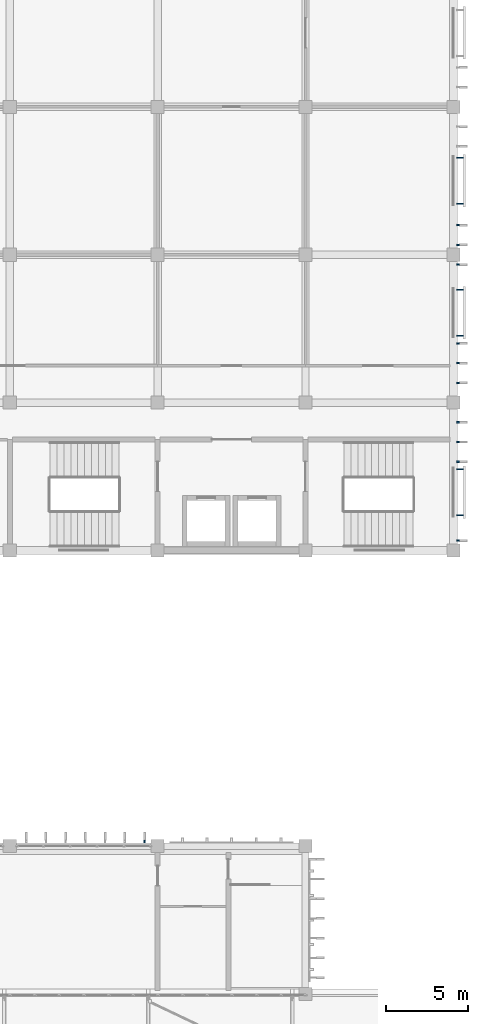
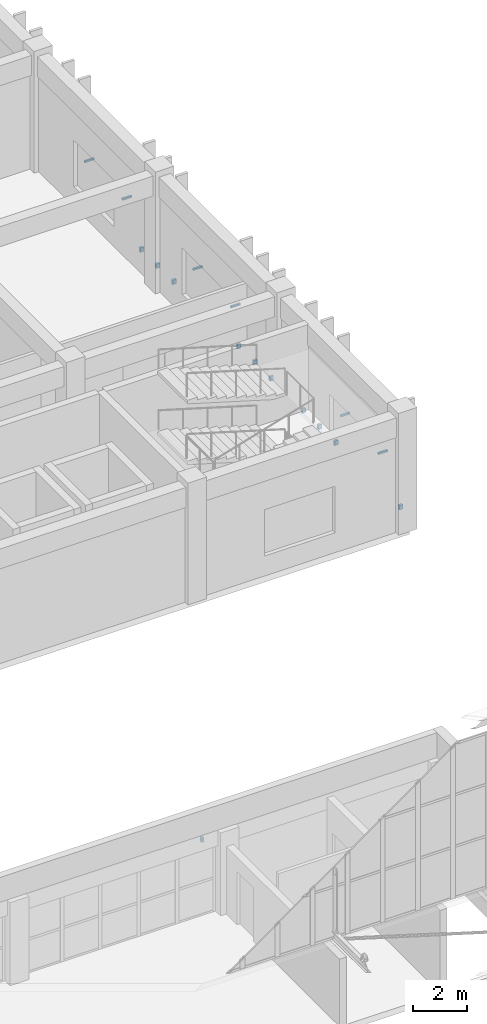
# One storey, part 158 of 185: 17 discrete accessories.
"""IFC4 building model written with IfcOpenShell, lengths in metres."""

from ifc_helpers import new_model, si_unit, direction, frame, origin, origin_2d, place, context, subcontext, project, spatial, rectangle, extrude, material, type_object, element, save


model = new_model("IFC4")

# Units and contexts
model_context = context("Model", 3, precision=1e-05, world=origin(), true_north=direction((0.0, 1.0)))
body_context = subcontext(model_context, "Body", "Model", "MODEL_VIEW")
ifc_project = project(units=[si_unit("LENGTHUNIT", "METRE"), si_unit("AREAUNIT", "SQUARE_METRE"), si_unit("VOLUMEUNIT", "CUBIC_METRE"), si_unit("PLANEANGLEUNIT", "RADIAN"), si_unit("MASSUNIT", "GRAM", prefix="KILO")], contexts=[model_context])

# Site, building, storey
site_placement = place(None, origin())
site = spatial("IfcSite", under=ifc_project, at=site_placement, CompositionType="ELEMENT")
building_placement = place(site_placement, origin())
building = spatial("IfcBuilding", under=site, at=building_placement, Name="Opaline Strait Convention Centre", CompositionType="ELEMENT")
storey_placement = place(building_placement, frame((0.0, 0.0, 6.0)))
storey = spatial("IfcBuildingStorey", under=building, at=storey_placement, Name="L01", CompositionType="ELEMENT", Elevation=6.0)

# Discrete accessories
ifc_material = material(Name="Stainless steel 304", Category="steel")
discrete_accessory_type_1 = type_object("IfcDiscreteAccessoryType", Name="Fin bracket 150 stainless steel", PredefinedType="BRACKET", material=ifc_material)
for number, where, z_axis, x_axis, name in (
    (1, (360.27490234375, 90.60009765625, 0.35009765625), (0.0, 0.0, 1.0), (1.0, 0.0, 0.0), "Fin bracket"),
    (2, (360.27490234375, 95.39990234375, 0.35009765625), (0.0, 0.0, 1.0), (1.0, 0.0, 0.0), "Fin bracket"),
    (3, (360.27490234375, 96.60009765625, 0.35009765625), (0.0, 0.0, 1.0), (1.0, 0.0, 0.0), "Fin bracket"),
    (4, (360.27490234375, 97.800048828125, 0.35009765625), (0.0, 0.0, 1.0), (1.0, 0.0, 0.0), "Fin bracket"),
    (5, (360.27490234375, 100.199951171875, 0.35009765625), (0.0, 0.0, 1.0), (1.0, 0.0, 0.0), "Fin bracket"),
    (6, (360.27490234375, 101.39990234375, 0.35009765625), (0.0, 0.0, 1.0), (1.0, 0.0, 0.0), "Fin bracket"),
    (7, (360.27490234375, 102.60009765625, 0.35009765625), (0.0, 0.0, 1.0), (1.0, 0.0, 0.0), "Fin bracket"),
    (8, (360.27490234375, 107.39990234375, 0.35009765625), (0.0, 0.0, 1.0), (1.0, 0.0, 0.0), "Fin bracket"),
    (9, (360.27490234375, 108.60009765625, 0.35009765625), (0.0, 0.0, 1.0), (1.0, 0.0, 0.0), "Fin bracket"),
    (10, (360.27490234375, 109.800048828125, 0.35009765625), (0.0, 0.0, 1.0), (1.0, 0.0, 0.0), "Fin bracket"),
):
    element("IfcDiscreteAccessory", number, at=place(storey_placement, frame(where, z_axis=z_axis, x_axis=x_axis)), inside=storey, type_object=discrete_accessory_type_1, Name=name, PredefinedType="BRACKET", context=body_context, shape_type="SweptSolid", body=[
        extrude(rectangle(XDim=0.14990234375, YDim=0.10009765625, at=origin_2d()), origin(), (0.0, 0.0, 1.0), 0.199951171875),
    ])
discrete_accessory_type_2 = type_object("IfcDiscreteAccessoryType", Name="Louvre bracket 400 stainless steel", PredefinedType="BRACKET", material=ifc_material)
for number, where, z_axis, x_axis, name in (
    (11, (360.39990234375, 92.137451171875, 1.909912109375), (0.0, 0.0, 1.0), (1.0, 0.0, 0.0), "Louvre bracket"),
    (12, (360.39990234375, 94.9375, 1.909912109375), (0.0, 0.0, 1.0), (1.0, 0.0, 0.0), "Louvre bracket"),
    (13, (360.39990234375, 103.0625, 1.909912109375), (0.0, 0.0, 1.0), (1.0, 0.0, 0.0), "Louvre bracket"),
    (14, (360.39990234375, 105.862548828125, 1.909912109375), (0.0, 0.0, 1.0), (1.0, 0.0, 0.0), "Louvre bracket"),
    (15, (360.39990234375, 111.10009765625, 1.909912109375), (0.0, 0.0, 1.0), (1.0, 0.0, 0.0), "Louvre bracket"),
    (16, (360.39990234375, 113.89990234375, 1.909912109375), (0.0, 0.0, 1.0), (1.0, 0.0, 0.0), "Louvre bracket"),
):
    element("IfcDiscreteAccessory", number, at=place(storey_placement, frame(where, z_axis=z_axis, x_axis=x_axis)), inside=storey, type_object=discrete_accessory_type_2, Name=name, PredefinedType="BRACKET", context=body_context, shape_type="SweptSolid", body=[
        extrude(rectangle(XDim=0.39990234375, YDim=0.080078125, at=origin_2d()), origin(), (0.0, 0.0, 1.0), 0.080078125),
    ])
discrete_accessory_type_3 = type_object("IfcDiscreteAccessoryType", Name="Storm fin bracket 100", PredefinedType="BRACKET", material=ifc_material)
discrete_accessory_placement = place(storey_placement, frame((341.199951171875, 72.27490234375, 3.10009765625), z_axis=(0.0, 0.0, 1.0), x_axis=(1.0, 0.0, 0.0)))
element("IfcDiscreteAccessory", 17, at=discrete_accessory_placement, inside=storey, type_object=discrete_accessory_type_3, Name="Storm fin bracket north 70", PredefinedType="BRACKET", context=body_context, shape_type="SweptSolid", body=[
    extrude(rectangle(XDim=0.10009765625, YDim=0.14990234375, at=origin_2d()), origin(), (0.0, 0.0, 1.0), 0.199951171875),
])

save(model, "model.ifc")
